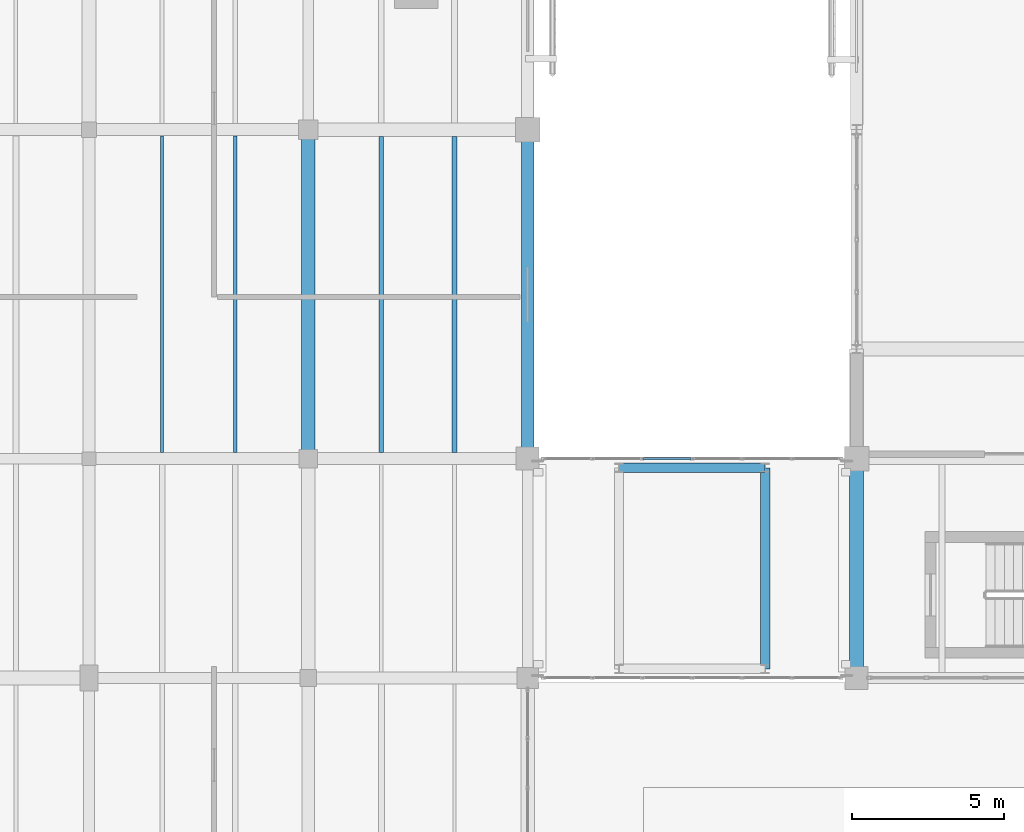
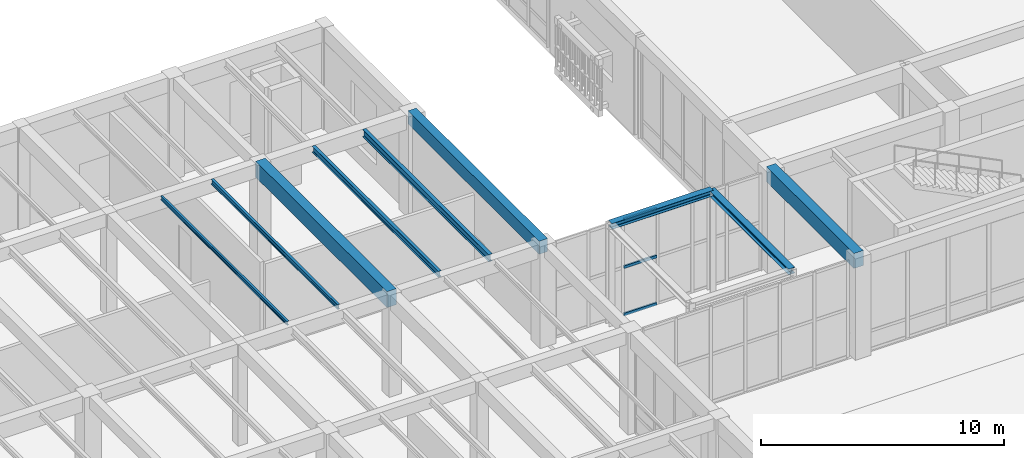
# One storey, part 65 of 169: 9 beams, 3 members, 1 element without a shape of its own.
"""IFC4 building model written with IfcOpenShell, lengths in metres."""

import ifcopenshell
import ifcopenshell.guid

model = None  # the IFC model being written
_history = None  # IfcOwnerHistory: only IFC2X3 demands one
_inside = {}  # id of a spatial element -> (the spatial element, [elements in it])
_under = {}  # id of a project, library or spatial element -> (it, [spatial elements below it])
_declared = {}  # id of a project -> (the project, [libraries it declares])
_typed = {}  # id of a type object -> (the type object, [elements of that type])
_made_of = {}  # id of a material, layer set ... -> (it, [elements and type objects made of it])


def new_model(schema):
    """Start an empty IFC model of exactly this schema.

    Asked for "IFC4X3", IfcOpenShell would pick the latest addendum, in which some entities
    have other attributes; the version numbers below select the first issue.
    IFC2X3 requires an IfcOwnerHistory on every rooted entity: one is made here for all.
    """
    global model, _history
    if schema == "IFC4X3":
        model = ifcopenshell.file(schema_version=(4, 3, 0, 0))
    else:
        model = ifcopenshell.file(schema=schema)
    _inside.clear()
    _under.clear()
    _declared.clear()
    _typed.clear()
    _made_of.clear()
    _history = None
    if model.schema == "IFC2X3":
        org = make("IfcOrganization", Name="unknown")
        user = make(
            "IfcPersonAndOrganization",
            ThePerson=make("IfcPerson", FamilyName="unknown"),
            TheOrganization=org,
        )
        app = make(
            "IfcApplication",
            ApplicationDeveloper=org,
            Version="unknown",
            ApplicationFullName="unknown",
            ApplicationIdentifier="unknown",
        )
        _history = make(
            "IfcOwnerHistory",
            OwningUser=user,
            OwningApplication=app,
            ChangeAction="ADDED",
            CreationDate=0,
        )
    return model


def make(cls, **values):
    """One entity of the class cls with the attributes given. An attribute that is None is left unset."""
    return model.create_entity(
        cls, **{name: value for name, value in values.items() if value is not None}
    )


def rooted(cls, **values):
    """An entity with a GlobalId (a new one), such as an element, a storey or a relation."""
    return make(cls, GlobalId=ifcopenshell.guid.new(), OwnerHistory=_history, **values)


def si_unit(unit_type, name, prefix=None):
    """IfcSIUnit, for example si_unit("LENGTHUNIT", "METRE", prefix="MILLI")."""
    return make("IfcSIUnit", UnitType=unit_type, Prefix=prefix, Name=name)


def assignment(units):
    """IfcUnitAssignment: the units of a project."""
    return None if units is None else make("IfcUnitAssignment", Units=units)


def point(xyz):
    """IfcCartesianPoint."""
    return None if xyz is None else make("IfcCartesianPoint", Coordinates=xyz)


def direction(xyz):
    """IfcDirection."""
    return None if xyz is None else make("IfcDirection", DirectionRatios=xyz)


def frame(location, z_axis=None, x_axis=None):
    """IfcAxis2Placement3D, a coordinate frame: its origin and axes. An axis left out is left unset."""
    return make(
        "IfcAxis2Placement3D",
        Location=point(location),
        Axis=direction(z_axis),
        RefDirection=direction(x_axis),
    )


def frame_2d(location, x_axis=None):
    """IfcAxis2Placement2D, a coordinate frame in the plane: its origin and x axis."""
    return make(
        "IfcAxis2Placement2D", Location=point(location), RefDirection=direction(x_axis)
    )


def origin():
    """The frame at (0, 0, 0) with its axes left unset."""
    return frame((0.0, 0.0, 0.0))


def origin_2d():
    """The frame at (0, 0) in the plane with its x axis left unset."""
    return frame_2d((0.0, 0.0))


def place(relative_to, where):
    """IfcLocalPlacement: puts the frame where relative to a parent placement (None: the world)."""
    return make(
        "IfcLocalPlacement", PlacementRelTo=relative_to, RelativePlacement=where
    )


def context(
    kind, dimensions, precision=None, world=None, true_north=None, identifier=None
):
    """IfcGeometricRepresentationContext, for example the 3D "Model" context."""
    return make(
        "IfcGeometricRepresentationContext",
        ContextIdentifier=identifier,
        ContextType=kind,
        CoordinateSpaceDimension=dimensions,
        Precision=precision,
        WorldCoordinateSystem=world,
        TrueNorth=true_north,
    )


def subcontext(parent, identifier, kind, view, scale=None):
    """IfcGeometricRepresentationSubContext, for example "Body" below "Model"."""
    return make(
        "IfcGeometricRepresentationSubContext",
        ContextIdentifier=identifier,
        ContextType=kind,
        ParentContext=parent,
        TargetScale=scale,
        TargetView=view,
    )


def project(units=None, contexts=None):
    """IfcProject with its units and contexts."""
    return rooted(
        "IfcProject",
        Name="project",
        RepresentationContexts=contexts,
        UnitsInContext=assignment(units),
    )


def spatial(cls, under=None, at=None, **own):
    """A site, building, storey or space (cls), placed at a placement, below another one or the project."""
    s = rooted(cls, ObjectPlacement=at, **own)
    if under is not None:
        _under.setdefault(under.id(), (under, []))[1].append(s)
    return s


def profile(cls, at=None, kind="AREA", **sizes):
    """A parametric profile (cls). Its sizes go by their IFC names, for example OverallWidth=200.0."""
    return make(cls, ProfileType=kind, Position=at, **sizes)


def rectangle(**sizes):
    """IfcRectangleProfileDef."""
    return profile("IfcRectangleProfileDef", **sizes)


def hollow_rectangle(**sizes):
    """IfcRectangleHollowProfileDef."""
    return profile("IfcRectangleHollowProfileDef", **sizes)


def i_section(**sizes):
    """IfcIShapeProfileDef."""
    return profile("IfcIShapeProfileDef", **sizes)


def extrude(swept, where, along, depth):
    """IfcExtrudedAreaSolid: the profile swept, set in the frame where, extruded along a direction by depth."""
    return make(
        "IfcExtrudedAreaSolid",
        SweptArea=swept,
        Position=where,
        ExtrudedDirection=direction(along),
        Depth=depth,
    )


def shape(context_of_items, identifier, shape_type, items):
    """IfcShapeRepresentation: the items that make up one representation, for example the "Body"."""
    return make(
        "IfcShapeRepresentation",
        ContextOfItems=context_of_items,
        RepresentationIdentifier=identifier,
        RepresentationType=shape_type,
        Items=items,
    )


def material(Name=None, Category=None):
    """IfcMaterial."""
    return make("IfcMaterial", Name=Name, Category=Category)


def layer(
    of_material, thickness, ventilated=None, Name=None, Category=None, Priority=None
):
    """IfcMaterialLayer: one layer of a wall or slab, of a material (None: an air gap)."""
    return make(
        "IfcMaterialLayer",
        Material=of_material,
        LayerThickness=thickness,
        IsVentilated=ventilated,
        Name=Name,
        Category=Category,
        Priority=Priority,
    )


def layer_set(layers, Name=None):
    """IfcMaterialLayerSet."""
    return make("IfcMaterialLayerSet", MaterialLayers=layers, LayerSetName=Name)


def material_profile(
    of_material, cross_section, Name=None, Category=None, Priority=None
):
    """IfcMaterialProfile: a cross section and its material."""
    return make(
        "IfcMaterialProfile",
        Name=Name,
        Material=of_material,
        Profile=cross_section,
        Priority=Priority,
        Category=Category,
    )


def profile_set(profiles, Name=None, composite=None):
    """IfcMaterialProfileSet."""
    return make(
        "IfcMaterialProfileSet",
        Name=Name,
        MaterialProfiles=profiles,
        CompositeProfile=composite,
    )


def made_of(thing, what):
    """Note that an element or type object is made of a material, layer set ...; save() writes the relation."""
    if what is not None:
        _made_of.setdefault(what.id(), (what, []))[1].append(thing)
    return thing


def type_object(cls, material=None, **own):
    """A type object (cls), such as IfcWallType, which elements share."""
    return made_of(rooted(cls, **own), material)


def element(
    cls,
    number,
    at=None,
    inside=None,
    cuts=None,
    type_object=None,
    material=None,
    context=None,
    identifier="Body",
    shape_type=None,
    held_by="IfcProductDefinitionShape",
    body=None,
    shapes=None,
    **own,
):
    """One element of the class cls, such as IfcWall. Its Tag is "e" and its number.

    at: its placement. inside: the storey or other place that contains it. cuts: it is an
    opening in that element (IfcRelVoidsElement). A single representation is given by context,
    identifier, shape_type and body (its items); several are given by shapes. held_by: the class
    of the entity that holds the representations. save() writes the other relations.
    """
    e = rooted(cls, Tag="e%d" % number, ObjectPlacement=at, **own)
    if body is not None:
        shapes = [shape(context, identifier, shape_type, body)]
    if shapes is not None:
        e.Representation = make(held_by, Representations=shapes)
    if inside is not None:
        _inside.setdefault(inside.id(), (inside, []))[1].append(e)
    if cuts is not None:
        rooted(
            "IfcRelVoidsElement", RelatingBuildingElement=cuts, RelatedOpeningElement=e
        )
    if type_object is not None:
        _typed.setdefault(type_object.id(), (type_object, []))[1].append(e)
    return made_of(e, material)


def aggregate(whole, parts):
    """IfcRelAggregates: a whole, such as a stair, and the parts it consists of."""
    return rooted("IfcRelAggregates", RelatingObject=whole, RelatedObjects=parts)


def save(model, path):
    """Write the relations noted so far, then the file.

    IfcRelAggregates (storeys below a building ...), IfcRelContainedInSpatialStructure (elements
    in a storey), IfcRelDefinesByType, IfcRelAssociatesMaterial and IfcRelDeclares: one each for
    every whole, place, type object, material and project.
    """
    for whole, parts in _under.values():
        aggregate(whole, parts)
    for where, things in _inside.values():
        rooted(
            "IfcRelContainedInSpatialStructure",
            RelatedElements=things,
            RelatingStructure=where,
        )
    for kind, things in _typed.values():
        rooted("IfcRelDefinesByType", RelatedObjects=things, RelatingType=kind)
    for what, things in _made_of.values():
        rooted("IfcRelAssociatesMaterial", RelatedObjects=things, RelatingMaterial=what)
    for by, libraries in _declared.values():
        rooted("IfcRelDeclares", RelatingContext=by, RelatedDefinitions=libraries)
    model.write(path)


model = new_model("IFC4")

# Units and contexts
model_context = context("Model", 3, precision=1e-05, world=origin(), true_north=direction((0.0, 1.0)))
body_context = subcontext(model_context, "Body", "Model", "MODEL_VIEW")
ifc_project = project(units=[si_unit("LENGTHUNIT", "METRE"), si_unit("AREAUNIT", "SQUARE_METRE"), si_unit("VOLUMEUNIT", "CUBIC_METRE"), si_unit("PLANEANGLEUNIT", "RADIAN"), si_unit("MASSUNIT", "GRAM", prefix="KILO")], contexts=[model_context])

# Site, building, storey
site_placement = place(None, origin())
site = spatial("IfcSite", under=ifc_project, at=site_placement, CompositionType="ELEMENT")
building_placement = place(site_placement, origin())
building = spatial("IfcBuilding", under=site, at=building_placement, Name="Mazaris Harbour Polytechnic", CompositionType="ELEMENT")
storey_placement = place(building_placement, origin())
storey = spatial("IfcBuildingStorey", under=building, at=storey_placement, Name="L00", CompositionType="ELEMENT", Elevation=0.0)

# Curtain wall, members
ifc_material_1 = material(Name="Anodised Bronze Aluminium and Low-E Glass", Category="aluminium")
ifc_layer = layer(ifc_material_1, 0.139892578125, Name="Anodised Bronze Aluminium and Low-E Glass")
ifc_layer_set = layer_set([ifc_layer], Name="Anodised Bronze Aluminium and Low-E Glass")
curtain_wall_type = type_object("IfcCurtainWallType", Name="Seismic Link Bridge Glazing", PredefinedType="NOTDEFINED", material=ifc_layer_set)
curtain_wall_placement = place(storey_placement, origin())
curtain_wall = element("IfcCurtainWall", 1, at=curtain_wall_placement, inside=storey, type_object=curtain_wall_type, Name="PB-W2 L00 Bridge Glazing", PredefinedType="NOTDEFINED")
ifc_material_2 = material(Name="Anodised Bronze Steel S355", Category="steel")
ifc_material_profile_1 = material_profile(ifc_material_2, hollow_rectangle(XDim=0.080078125, YDim=0.139892578125, WallThickness=0.00634765625, at=origin_2d()), Name="RHS 80x140x6.3")
ifc_profile_set_1 = profile_set([ifc_material_profile_1], Name="Anodised Bronze Steel S355")
member_type = type_object("IfcMemberType", Name="Curtain Transom RHS80x140", PredefinedType="USERDEFINED", material=ifc_profile_set_1)
member_1_placement = place(storey_placement, frame((48.56005859375, 82.800048828125, 0.0400390625), z_axis=(-1.0, 0.0, 0.0), x_axis=(0.0, -1.0, 0.0)))
member_1 = element("IfcMember", 2, at=member_1_placement, type_object=member_type, Name="CW-05 transom 4.1", ObjectType="TRANSOM", PredefinedType="USERDEFINED", context=body_context, shape_type="SweptSolid", body=[
    extrude(hollow_rectangle(XDim=0.080078125, YDim=0.139892578125, WallThickness=0.00634765625, at=origin_2d()), origin(), (0.0, 0.0, 1.0), 1.56005859375),
])
member_2_placement = place(storey_placement, frame((48.56005859375, 82.800048828125, 2.41748046875), z_axis=(-1.0, 0.0, 0.0), x_axis=(0.0, -1.0, 0.0)))
member_2 = element("IfcMember", 3, at=member_2_placement, type_object=member_type, Name="CW-05 transom 4.2", ObjectType="TRANSOM", PredefinedType="USERDEFINED", context=body_context, shape_type="SweptSolid", body=[
    extrude(hollow_rectangle(XDim=0.080078125, YDim=0.139892578125, WallThickness=0.00634765625, at=origin_2d()), origin(), (0.0, 0.0, 1.0), 1.56005859375),
])
member_3_placement = place(storey_placement, frame((48.56005859375, 82.800048828125, 4.794921875), z_axis=(-1.0, 0.0, 0.0), x_axis=(0.0, -1.0, 0.0)))
member_3 = element("IfcMember", 4, at=member_3_placement, type_object=member_type, Name="CW-05 transom 4.3", ObjectType="TRANSOM", PredefinedType="USERDEFINED", context=body_context, shape_type="SweptSolid", body=[
    extrude(hollow_rectangle(XDim=0.080078125, YDim=0.139892578125, WallThickness=0.00634765625, at=origin_2d()), origin(), (0.0, 0.0, 1.0), 1.56005859375),
])
aggregate(curtain_wall, [member_1, member_2, member_3])

# Beams
ifc_material_3 = material(Name="Concrete C35/45", Category="concrete")
ifc_material_profile_2 = material_profile(ifc_material_3, rectangle(XDim=0.39990234375, YDim=0.64990234375, at=origin_2d()), Name="RECT400x650")
ifc_profile_set_2 = profile_set([ifc_material_profile_2], Name="Concrete C35/45")
beam_type_1 = type_object("IfcBeamType", Name="RC Girder 400x650 Exterior", PredefinedType="BEAM", material=ifc_profile_set_2)
beam_1_placement = place(storey_placement, frame((43.199951171875, 82.800048828125, 4.77490234375), z_axis=(0.0, 1.0, 0.0), x_axis=(-1.0, 0.0, 0.0)))
element("IfcBeam", 5, at=beam_1_placement, inside=storey, type_object=beam_type_1, Name="V4 L00 Tie Girder 1501", PredefinedType="BEAM", context=body_context, shape_type="SweptSolid", body=[
    extrude(rectangle(XDim=0.39990234375, YDim=0.64990234375, at=origin_2d()), origin(), (0.0, 0.0, 1.0), 10.800048828125),
])
ifc_material_4 = material(Name="Concrete C40/50", Category="concrete")
ifc_material_profile_3 = material_profile(ifc_material_4, rectangle(XDim=0.449951171875, YDim=0.75, at=origin_2d()), Name="RECT450x750")
ifc_profile_set_3 = profile_set([ifc_material_profile_3], Name="Concrete C40/50")
beam_type_2 = type_object("IfcBeamType", Name="RC Girder 450x750 Exterior", PredefinedType="BEAM", material=ifc_profile_set_3)
beam_2_placement = place(storey_placement, frame((54.0, 75.60009765625, 4.705078125), z_axis=(0.0, 1.0, 0.0), x_axis=(-1.0, 0.0, 0.0)))
element("IfcBeam", 6, at=beam_2_placement, inside=storey, type_object=beam_type_2, Name="V1 L00 Tie Girder 203", PredefinedType="BEAM", context=body_context, shape_type="SweptSolid", body=[
    extrude(rectangle(XDim=0.449951171875, YDim=0.75, at=origin_2d()), origin(), (0.0, 0.0, 1.0), 7.199951171875),
])
ifc_material_5 = material(Name="Concrete C40/50", Category="concrete")
ifc_material_profile_4 = material_profile(ifc_material_5, rectangle(XDim=0.449951171875, YDim=0.800048828125, at=origin_2d()), Name="RECT450x800")
ifc_profile_set_4 = profile_set([ifc_material_profile_4], Name="Concrete C40/50")
beam_type_3 = type_object("IfcBeamType", Name="RC Girder 450x800", PredefinedType="BEAM", material=ifc_profile_set_4)
beam_3_placement = place(storey_placement, frame((36.0, 82.800048828125, 4.699951171875), z_axis=(0.0, 1.0, 0.0), x_axis=(-1.0, 0.0, 0.0)))
element("IfcBeam", 7, at=beam_3_placement, inside=storey, type_object=beam_type_3, Name="V4 L00 Tie Girder 1489", PredefinedType="BEAM", context=body_context, shape_type="SweptSolid", body=[
    extrude(rectangle(XDim=0.449951171875, YDim=0.800048828125, at=origin_2d()), origin(), (0.0, 0.0, 1.0), 10.800048828125),
])
ifc_material_6 = material(Name="Steel S355", Category="steel")
ifc_material_profile_5 = material_profile(ifc_material_6, i_section(OverallWidth=0.300048828125, OverallDepth=0.2900390625, WebThickness=0.008544921875, FlangeThickness=0.013916015625, FilletRadius=0.027099609375, at=origin_2d()), Name="HEA 300")
ifc_profile_set_5 = profile_set([ifc_material_profile_5], Name="Steel S355")
beam_type_4 = type_object("IfcBeamType", Name="Steel Beam HEA300 Exterior", PredefinedType="SPANDREL", material=ifc_profile_set_5)
beam_4_placement = place(storey_placement, frame((51.0, 75.89990234375, 4.989990234375), z_axis=(0.0, 1.0, 0.0), x_axis=(-1.0, 0.0, 0.0)))
element("IfcBeam", 8, at=beam_4_placement, inside=storey, type_object=beam_type_4, Name="PB-W2 L00 Bridge Beam 3425", PredefinedType="SPANDREL", context=body_context, shape_type="SweptSolid", body=[
    extrude(i_section(OverallWidth=0.300048828125, OverallDepth=0.2900390625, WebThickness=0.008544921875, FlangeThickness=0.013916015625, FilletRadius=0.027099609375, at=origin_2d()), origin(), (0.0, 0.0, 1.0), 6.60009765625),
])
beam_5_placement = place(storey_placement, frame((46.199951171875, 82.5, 4.989990234375), z_axis=(1.0, 0.0, 0.0), x_axis=(0.0, 1.0, 0.0)))
element("IfcBeam", 9, at=beam_5_placement, inside=storey, type_object=beam_type_4, Name="PB-W2 L00 Bridge Beam 3426", PredefinedType="SPANDREL", context=body_context, shape_type="SweptSolid", body=[
    extrude(i_section(OverallWidth=0.300048828125, OverallDepth=0.2900390625, WebThickness=0.008544921875, FlangeThickness=0.013916015625, FilletRadius=0.027099609375, at=origin_2d()), origin(), (0.0, 0.0, 1.0), 4.800048828125),
])
ifc_material_7 = material(Name="Steel S355", Category="steel")
ifc_material_profile_6 = material_profile(ifc_material_7, i_section(OverallWidth=0.10009765625, OverallDepth=0.199951171875, WebThickness=0.005615234375, FlangeThickness=0.008544921875, FilletRadius=0.011962890625, at=origin_2d()), Name="IPE 200")
ifc_profile_set_6 = profile_set([ifc_material_profile_6], Name="Steel S355")
beam_type_5 = type_object("IfcBeamType", Name="Steel Joist IPE200", PredefinedType="JOIST", material=ifc_profile_set_6)
beam_6_placement = place(storey_placement, frame((31.199951171875, 83.0, 5.0), z_axis=(0.0, 1.0, 0.0), x_axis=(-1.0, 0.0, 0.0)))
element("IfcBeam", 10, at=beam_6_placement, inside=storey, type_object=beam_type_5, Name="V4 L00 Floor Joist 1596", PredefinedType="JOIST", context=body_context, shape_type="SweptSolid", body=[
    extrude(i_section(OverallWidth=0.10009765625, OverallDepth=0.199951171875, WebThickness=0.005615234375, FlangeThickness=0.008544921875, FilletRadius=0.011962890625, at=origin_2d()), origin(), (0.0, 0.0, 1.0), 10.39990234375),
])
ifc_material_8 = material(Name="Steel S355", Category="steel")
ifc_material_profile_7 = material_profile(ifc_material_8, i_section(OverallWidth=0.1201171875, OverallDepth=0.239990234375, WebThickness=0.006103515625, FlangeThickness=0.009765625, FilletRadius=0.014892578125, at=origin_2d()), Name="IPE 240")
ifc_profile_set_7 = profile_set([ifc_material_profile_7], Name="Steel S355")
beam_type_6 = type_object("IfcBeamType", Name="Steel Joist IPE240", PredefinedType="JOIST", material=ifc_profile_set_7)
beam_7_placement = place(storey_placement, frame((33.60009765625, 83.0, 4.97998046875), z_axis=(0.0, 1.0, 0.0), x_axis=(-1.0, 0.0, 0.0)))
element("IfcBeam", 11, at=beam_7_placement, inside=storey, type_object=beam_type_6, Name="V4 L00 Floor Joist 1597", PredefinedType="JOIST", context=body_context, shape_type="SweptSolid", body=[
    extrude(i_section(OverallWidth=0.1201171875, OverallDepth=0.239990234375, WebThickness=0.006103515625, FlangeThickness=0.009765625, FilletRadius=0.014892578125, at=origin_2d()), origin(), (0.0, 0.0, 1.0), 10.39990234375),
])
ifc_material_9 = material(Name="Steel S355", Category="steel")
ifc_material_profile_8 = material_profile(ifc_material_9, i_section(OverallWidth=0.14990234375, OverallDepth=0.300048828125, WebThickness=0.007080078125, FlangeThickness=0.0107421875, FilletRadius=0.014892578125, at=origin_2d()), Name="IPE 300")
ifc_profile_set_8 = profile_set([ifc_material_profile_8], Name="Steel S355")
beam_type_7 = type_object("IfcBeamType", Name="Steel Joist IPE300", PredefinedType="JOIST", material=ifc_profile_set_8)
beam_8_placement = place(storey_placement, frame((38.39990234375, 83.0, 4.949951171875), z_axis=(0.0, 1.0, 0.0), x_axis=(-1.0, 0.0, 0.0)))
element("IfcBeam", 12, at=beam_8_placement, inside=storey, type_object=beam_type_7, Name="V4 L00 Floor Joist 1620", PredefinedType="JOIST", context=body_context, shape_type="SweptSolid", body=[
    extrude(i_section(OverallWidth=0.14990234375, OverallDepth=0.300048828125, WebThickness=0.007080078125, FlangeThickness=0.0107421875, FilletRadius=0.014892578125, at=origin_2d()), origin(), (0.0, 0.0, 1.0), 10.375),
])
ifc_material_10 = material(Name="Steel S355", Category="steel")
ifc_material_profile_9 = material_profile(ifc_material_10, i_section(OverallWidth=0.169921875, OverallDepth=0.360107421875, WebThickness=0.008056640625, FlangeThickness=0.0126953125, FilletRadius=0.01806640625, at=origin_2d()), Name="IPE 360")
ifc_profile_set_9 = profile_set([ifc_material_profile_9], Name="Steel S355")
beam_type_8 = type_object("IfcBeamType", Name="Steel Joist IPE360", PredefinedType="JOIST", material=ifc_profile_set_9)
beam_9_placement = place(storey_placement, frame((40.800048828125, 83.0, 4.919921875), z_axis=(0.0, 1.0, 0.0), x_axis=(-1.0, 0.0, 0.0)))
element("IfcBeam", 13, at=beam_9_placement, inside=storey, type_object=beam_type_8, Name="V4 L00 Floor Joist 1621", PredefinedType="JOIST", context=body_context, shape_type="SweptSolid", body=[
    extrude(i_section(OverallWidth=0.169921875, OverallDepth=0.360107421875, WebThickness=0.008056640625, FlangeThickness=0.0126953125, FilletRadius=0.01806640625, at=origin_2d()), origin(), (0.0, 0.0, 1.0), 10.375),
])

save(model, "model.ifc")
